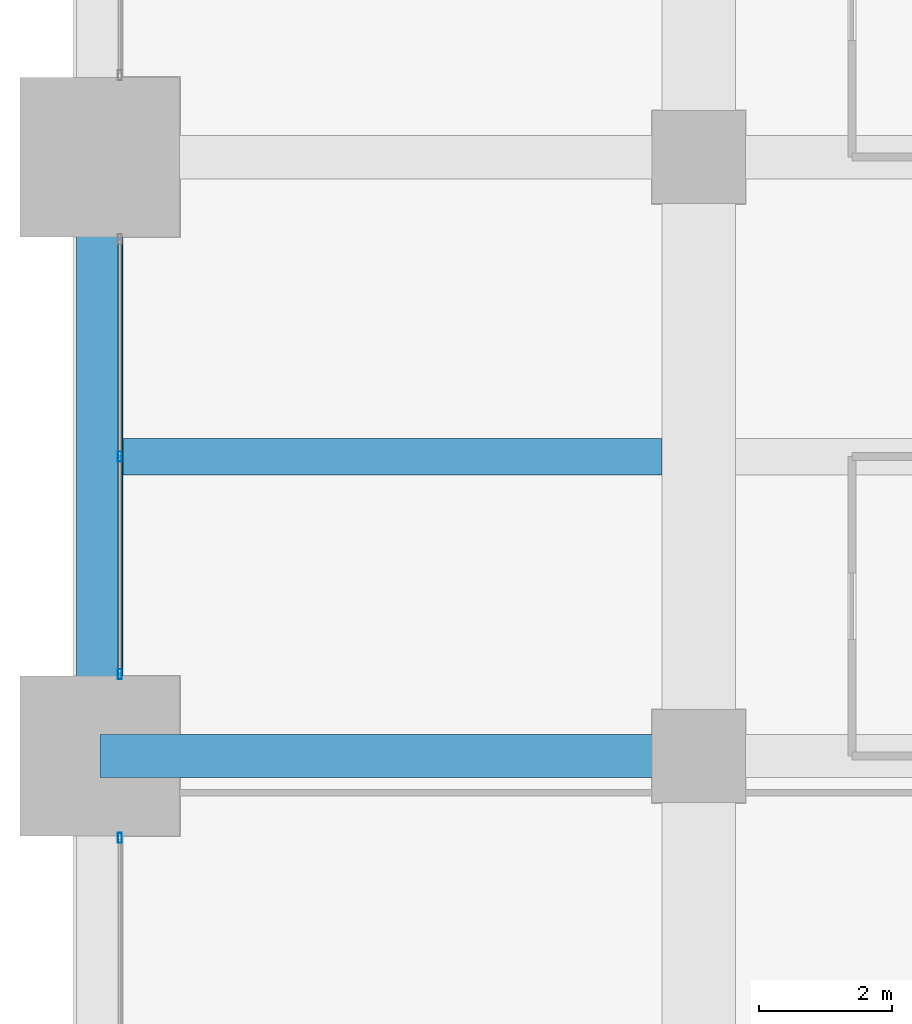
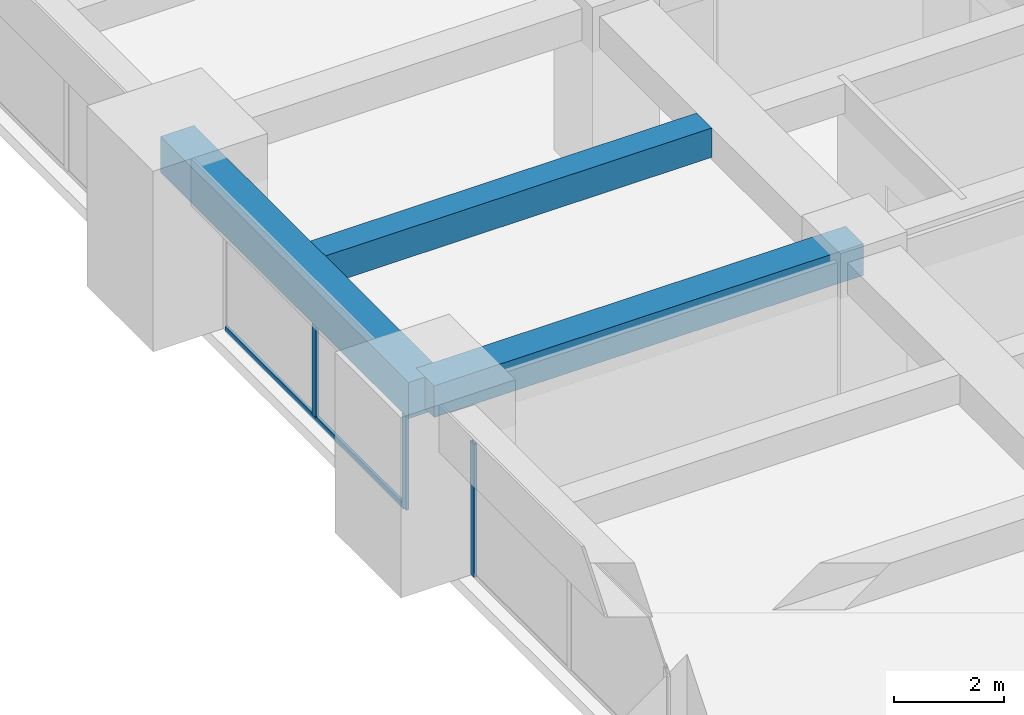
# One storey, part 9 of 32: 4 members, 3 beams, 2 elements without a shape of their own.
"""IFC4 building model written with IfcOpenShell, lengths in metres."""

from ifc_helpers import new_model, si_unit, direction, frame, origin, origin_2d, place, context, subcontext, project, spatial, rectangle, hollow_rectangle, extrude, material, material_profile, profile_set, type_object, element, aggregate, save


model = new_model("IFC4")

# Units and contexts
model_context = context("Model", 3, precision=1e-05, world=origin(), true_north=direction((0.0, 1.0)))
body_context = subcontext(model_context, "Body", "Model", "MODEL_VIEW")
ifc_project = project(units=[si_unit("LENGTHUNIT", "METRE"), si_unit("AREAUNIT", "SQUARE_METRE"), si_unit("VOLUMEUNIT", "CUBIC_METRE"), si_unit("PLANEANGLEUNIT", "RADIAN"), si_unit("MASSUNIT", "GRAM", prefix="KILO")], contexts=[model_context])

# Site, building, storey
site_placement = place(None, origin())
site = spatial("IfcSite", under=ifc_project, at=site_placement, CompositionType="ELEMENT")
building_placement = place(site_placement, origin())
building = spatial("IfcBuilding", under=site, at=building_placement, Name="Zorevar Civic Tower", CompositionType="ELEMENT")
storey_placement = place(building_placement, frame((0.0, 0.0, 198.199951171875)))
storey = spatial("IfcBuildingStorey", under=building, at=storey_placement, Name="L48", CompositionType="ELEMENT", Elevation=198.199951171875)

# Beams
ifc_material_1 = material(Name="Concrete C50/60", Category="concrete")
ifc_material_profile_1 = material_profile(ifc_material_1, rectangle(XDim=0.550048828125, YDim=0.64990234375, at=origin_2d()), Name="RC 550x650")
ifc_profile_set_1 = profile_set([ifc_material_profile_1], Name="Concrete C50/60")
beam_type_1 = type_object("IfcBeamType", Name="Beam RC 550x650", PredefinedType="BEAM", material=ifc_profile_set_1)
beam_1_placement = place(storey_placement, frame((0.35009765625, 22.5, 3.425048828125), z_axis=(1.0, 0.0, 0.0), x_axis=(0.0, 1.0, 0.0)))
element("IfcBeam", 1, at=beam_1_placement, inside=storey, type_object=beam_type_1, Name="Secondary beam L49", PredefinedType="BEAM", context=body_context, shape_type="SweptSolid", body=[
    extrude(rectangle(XDim=0.550048828125, YDim=0.64990234375, at=origin_2d()), origin(), (0.0, 0.0, 1.0), 8.099853515625),
])
ifc_material_2 = material(Name="Concrete C50/60", Category="concrete")
ifc_material_profile_2 = material_profile(ifc_material_2, rectangle(XDim=0.64990234375, YDim=0.699951171875, at=origin_2d()), Name="RC 650x700")
ifc_profile_set_2 = profile_set([ifc_material_profile_2], Name="Concrete C50/60")
beam_type_2 = type_object("IfcBeamType", Name="Beam RC 650x700", PredefinedType="BEAM", material=ifc_profile_set_2)
beam_2_placement = place(storey_placement, frame((0.0, 18.0, 3.400146484375), z_axis=(1.0, 0.0, 0.0), x_axis=(0.0, 1.0, 0.0)))
element("IfcBeam", 2, at=beam_2_placement, inside=storey, type_object=beam_type_2, Name="Girder L49", PredefinedType="BEAM", context=body_context, shape_type="SweptSolid", body=[
    extrude(rectangle(XDim=0.64990234375, YDim=0.699951171875, at=origin_2d()), origin(), (0.0, 0.0, 1.0), 9.0),
])

# Curtain wall, member
ifc_material_3 = material(Name="Dark grey solar-control glass in black aluminium frame", Category="aluminium")
curtain_wall_type = type_object("IfcCurtainWallType", Name="Curtain wall CW4 high zone", PredefinedType="NOTDEFINED", material=ifc_material_3)
curtain_wall_1_placement = place(storey_placement, origin())
curtain_wall_1 = element("IfcCurtainWall", 3, at=curtain_wall_1_placement, inside=storey, type_object=curtain_wall_type, Name="CW4 L48", PredefinedType="NOTDEFINED")
ifc_material_4 = material(Name="Aluminium, black anodised", Category="aluminium")
ifc_material_profile_3 = material_profile(ifc_material_4, hollow_rectangle(XDim=0.06005859375, YDim=0.14990234375, WallThickness=0.00390625, at=origin_2d()), Name="AL 150x60x4")
ifc_profile_set_3 = profile_set([ifc_material_profile_3], Name="Aluminium, black anodised")
member_type_1 = type_object("IfcMemberType", Name="CW4 mullion AL 150x60x4", PredefinedType="MULLION", material=ifc_profile_set_3)
member_1_placement = place(storey_placement, frame((0.300048828125, 16.77001953125, 0.0), z_axis=(0.0, 0.0, 1.0), x_axis=(-1.0, 0.0, 0.0)))
member_1 = element("IfcMember", 4, at=member_1_placement, type_object=member_type_1, Name="CW4 mullion 3", PredefinedType="MULLION", context=body_context, shape_type="SweptSolid", body=[
    extrude(hollow_rectangle(XDim=0.06005859375, YDim=0.14990234375, WallThickness=0.00390625, at=origin_2d()), origin(), (0.0, 0.0, 1.0), 2.949951171875),
])
aggregate(curtain_wall_1, [member_1])

# Curtain wall, members
curtain_wall_2_placement = place(storey_placement, origin())
curtain_wall_2 = element("IfcCurtainWall", 5, at=curtain_wall_2_placement, inside=storey, type_object=curtain_wall_type, Name="CW4 L48", PredefinedType="NOTDEFINED")
member_2_placement = place(storey_placement, frame((0.300048828125, 19.22998046875, 0.0), z_axis=(0.0, 0.0, 1.0), x_axis=(-1.0, 0.0, 0.0)))
member_2 = element("IfcMember", 6, at=member_2_placement, type_object=member_type_1, Name="CW4 mullion 1", PredefinedType="MULLION", context=body_context, shape_type="SweptSolid", body=[
    extrude(hollow_rectangle(XDim=0.06005859375, YDim=0.14990234375, WallThickness=0.00390625, at=origin_2d()), origin(), (0.0, 0.0, 1.0), 2.949951171875),
])
member_3_placement = place(storey_placement, frame((0.300048828125, 22.5, 0.06005859375), z_axis=(0.0, 0.0, 1.0), x_axis=(-1.0, 0.0, 0.0)))
member_3 = element("IfcMember", 7, at=member_3_placement, type_object=member_type_1, Name="CW4 mullion 2", PredefinedType="MULLION", context=body_context, shape_type="SweptSolid", body=[
    extrude(hollow_rectangle(XDim=0.06005859375, YDim=0.14990234375, WallThickness=0.00390625, at=origin_2d()), origin(), (0.0, 0.0, 1.0), 2.889892578125),
])
ifc_material_5 = material(Name="Aluminium, black anodised", Category="aluminium")
ifc_material_profile_4 = material_profile(ifc_material_5, hollow_rectangle(XDim=0.06005859375, YDim=0.1201171875, WallThickness=0.0029296875, at=origin_2d()), Name="AL 120x60x3")
ifc_profile_set_4 = profile_set([ifc_material_profile_4], Name="Aluminium, black anodised")
member_type_2 = type_object("IfcMemberType", Name="CW4 transom AL 120x60x3", PredefinedType="USERDEFINED", material=ifc_profile_set_4)
member_4_placement = place(storey_placement, frame((0.300048828125, 19.260009765625, 0.030029296875), z_axis=(0.0, 1.0, 0.0), x_axis=(-1.0, 0.0, 0.0)))
member_4 = element("IfcMember", 8, at=member_4_placement, type_object=member_type_2, Name="CW4 sill transom", ObjectType="TRANSOM", PredefinedType="USERDEFINED", context=body_context, shape_type="SweptSolid", body=[
    extrude(hollow_rectangle(XDim=0.06005859375, YDim=0.1201171875, WallThickness=0.0029296875, at=origin_2d()), origin(), (0.0, 0.0, 1.0), 6.47998046875),
])
aggregate(curtain_wall_2, [member_2, member_3, member_4])

# Beam
ifc_material_6 = material(Name="Concrete C50/60", Category="concrete")
ifc_material_profile_5 = material_profile(ifc_material_6, rectangle(XDim=0.699951171875, YDim=0.800048828125, at=origin_2d()), Name="RC 700x800")
ifc_profile_set_5 = profile_set([ifc_material_profile_5], Name="Concrete C50/60")
beam_type_3 = type_object("IfcBeamType", Name="Edge beam RC 700x800", PredefinedType="SPANDREL", material=ifc_profile_set_5)
beam_3_placement = place(storey_placement, frame((0.0, 18.0, 3.35009765625), z_axis=(0.0, 1.0, 0.0), x_axis=(-1.0, 0.0, 0.0)))
element("IfcBeam", 9, at=beam_3_placement, inside=storey, type_object=beam_type_3, Name="Edge beam L49", PredefinedType="SPANDREL", context=body_context, shape_type="SweptSolid", body=[
    extrude(rectangle(XDim=0.699951171875, YDim=0.800048828125, at=origin_2d()), origin(), (0.0, 0.0, 1.0), 9.0),
])

save(model, "model.ifc")
